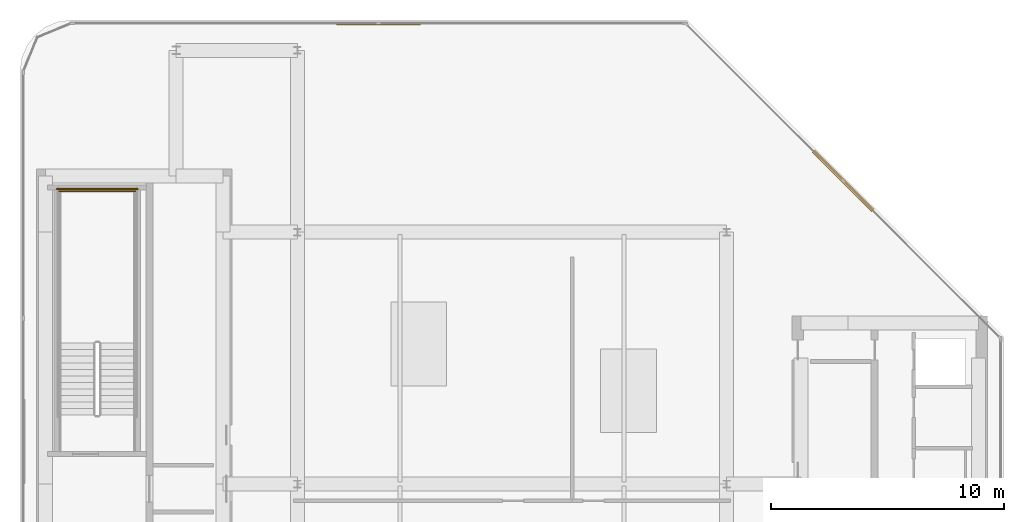
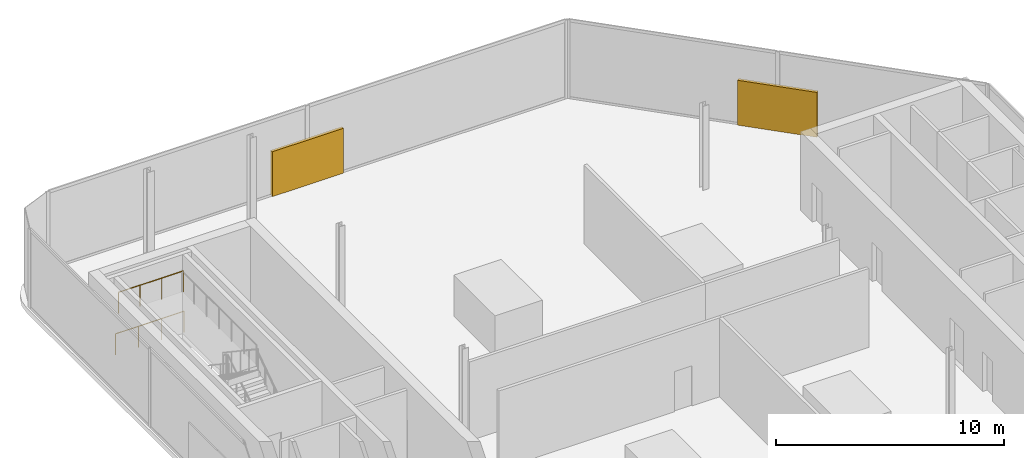
# One storey, part 15 of 15: 2 railings, 2 shading devices.
"""IFC4 building model written with IfcOpenShell, lengths in metres."""

from ifc_helpers import new_model, si_unit, direction, frame, origin, origin_2d, place, context, subcontext, project, spatial, rectangle, circle, extrude, material, layer, layer_set, type_object, element, save


model = new_model("IFC4")

# Units and contexts
model_context = context("Model", 3, precision=1e-05, world=origin(), true_north=direction((0.0, 1.0)))
body_context = subcontext(model_context, "Body", "Model", "MODEL_VIEW")
ifc_project = project(units=[si_unit("LENGTHUNIT", "METRE"), si_unit("AREAUNIT", "SQUARE_METRE"), si_unit("VOLUMEUNIT", "CUBIC_METRE"), si_unit("PLANEANGLEUNIT", "RADIAN"), si_unit("MASSUNIT", "GRAM", prefix="KILO")], contexts=[model_context])

# Site, building, storey
site_placement = place(None, origin())
site = spatial("IfcSite", under=ifc_project, at=site_placement, CompositionType="ELEMENT")
building_placement = place(site_placement, origin())
building = spatial("IfcBuilding", under=site, at=building_placement, Name="Khairoan Windgate Tower", CompositionType="ELEMENT")
storey_placement = place(building_placement, frame((0.0, 0.0, 335.0)))
storey = spatial("IfcBuildingStorey", under=building, at=storey_placement, Name="L80", CompositionType="ELEMENT", Elevation=335.0)

# Shading devices
ifc_material_1 = material(Name="Anodised Bronze Aluminium 6063-T6", Category="aluminium")
ifc_layer = layer(ifc_material_1, 0.14990234375, Name="Anodised Bronze Aluminium 6063-T6")
ifc_layer_set = layer_set([ifc_layer], Name="Anodised Bronze Aluminium 6063-T6")
shading_device_type = type_object("IfcShadingDeviceType", Name="Acoustic Bronze Plant Weather Louvre BWL-1", PredefinedType="JALOUSIE", material=ifc_layer_set)
for number, where, z_axis, x_axis, name in (
    (1, (-5.724365234375, 19.760009765625, 0.0), (0.0, 0.0, 1.0), (1.0, 0.0, 0.0), "L80 Acoustic Bronze Plant Louvre 5"),
    (2, (14.200927734375, 13.0009765625, 0.0), (0.0, 0.0, 1.0), (0.707106781187, -0.707106781187, 0.0), "L80 Acoustic Bronze Plant Louvre 6"),
):
    element("IfcShadingDevice", number, at=place(storey_placement, frame(where, z_axis=z_axis, x_axis=x_axis)), inside=storey, type_object=shading_device_type, Name=name, PredefinedType="JALOUSIE", context=body_context, shape_type="SweptSolid", body=[
        extrude(rectangle(XDim=3.60009765625, YDim=0.14990234375, at=origin_2d()), origin(), (0.0, 0.0, 1.0), 2.39990234375),
    ])

# Railings
ifc_material_2 = material(Name="Steel S355", Category="steel")
railing_type = type_object("IfcRailingType", Name="Stairwell Safety Guardrail SGR-1150", PredefinedType="GUARDRAIL", material=ifc_material_2)
railing_1_placement = place(storey_placement, frame((-16.14990234375, 12.550048828125, 2.25)))
element("IfcRailing", 3, at=railing_1_placement, inside=storey, type_object=railing_type, Name="L80 ST2 stair guard 5", PredefinedType="GUARDRAIL", context=body_context, shape_type="SweptSolid", body=[
    extrude(circle(Radius=0.02392578125, at=origin_2d()), frame((0.0, 0.0, 1.1259765625), z_axis=(-1.0, 0.0, 0.0), x_axis=(0.0, -1.0, 0.0)), (0.0, 0.0, 1.0), 3.27001953125),
    extrude(circle(Radius=0.02099609375, at=origin_2d()), origin(), (0.0, 0.0, 1.0), 1.101806640625),
    extrude(circle(Radius=0.02099609375, at=origin_2d()), frame((-1.090087890625, 0.0, 0.0)), (0.0, 0.0, 1.0), 1.101806640625),
    extrude(circle(Radius=0.02099609375, at=origin_2d()), frame((-2.179931640625, 0.0, 0.0)), (0.0, 0.0, 1.0), 1.101806640625),
    extrude(circle(Radius=0.02099609375, at=origin_2d()), frame((-3.27001953125, 0.0, 0.0)), (0.0, 0.0, 1.0), 1.101806640625),
])
railing_2_placement = place(storey_placement, frame((-16.050048828125, 12.64990234375, 0.0)))
element("IfcRailing", 4, at=railing_2_placement, inside=storey, type_object=railing_type, Name="L80 ST2 stair guard 12", PredefinedType="GUARDRAIL", context=body_context, shape_type="SweptSolid", body=[
    extrude(circle(Radius=0.02392578125, at=origin_2d()), frame((0.0, 0.0, 1.1259765625), z_axis=(-1.0, 0.0, 0.0), x_axis=(0.0, -1.0, 0.0)), (0.0, 0.0, 1.0), 3.469970703125),
    extrude(circle(Radius=0.02099609375, at=origin_2d()), origin(), (0.0, 0.0, 1.0), 1.101806640625),
    extrude(circle(Radius=0.02099609375, at=origin_2d()), frame((-1.15673828125, 0.0, 0.0)), (0.0, 0.0, 1.0), 1.101806640625),
    extrude(circle(Radius=0.02099609375, at=origin_2d()), frame((-2.313232421875, 0.0, 0.0)), (0.0, 0.0, 1.0), 1.101806640625),
    extrude(circle(Radius=0.02099609375, at=origin_2d()), frame((-3.469970703125, 0.0, 0.0)), (0.0, 0.0, 1.0), 1.101806640625),
])

save(model, "model.ifc")
